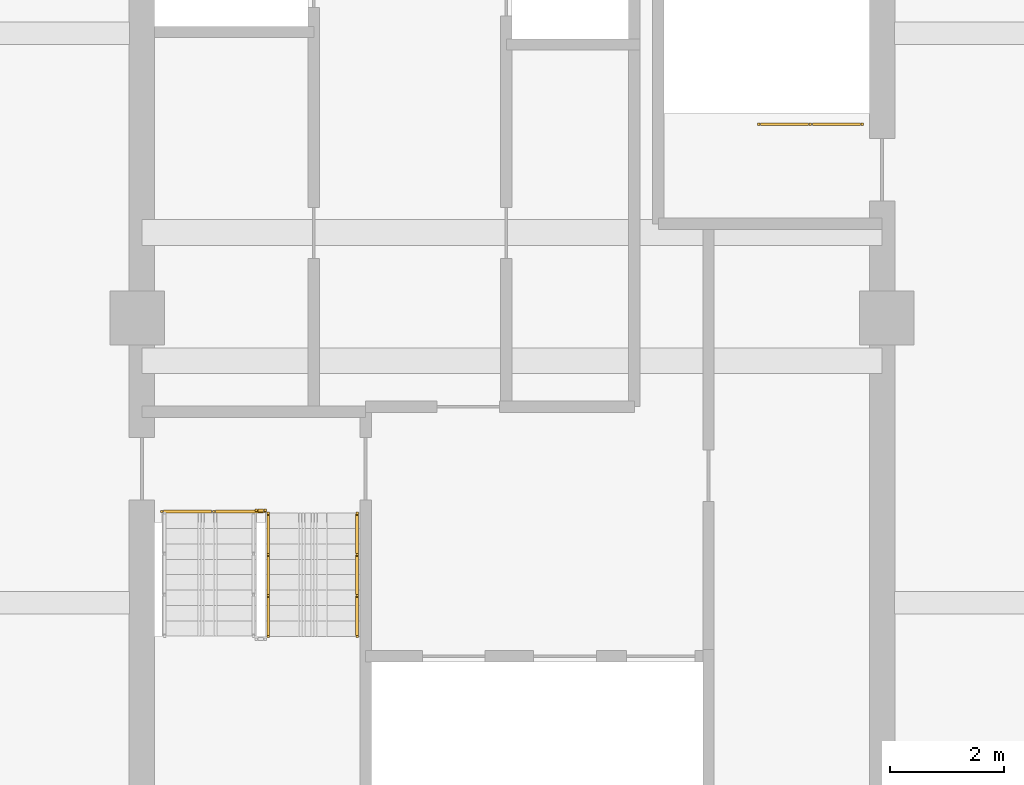
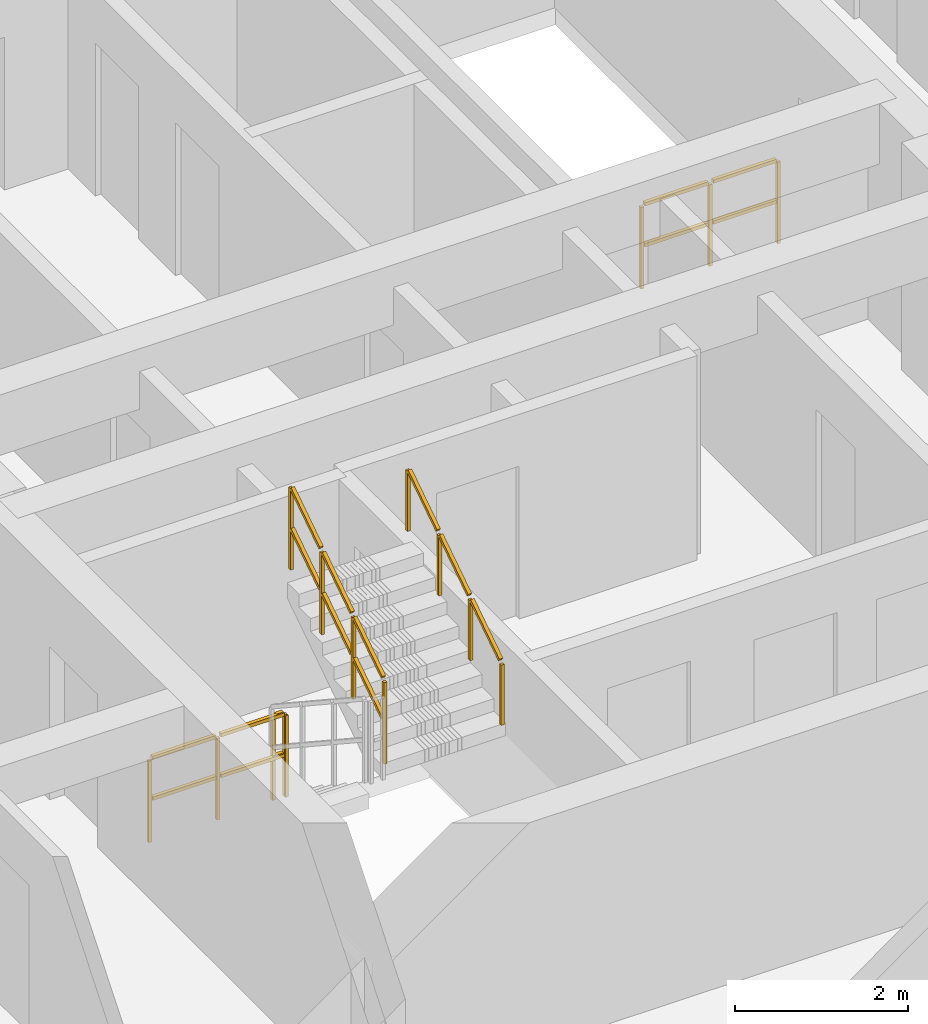
# One storey, part 9 of 11: 5 railings.
"""IFC4 building model written with IfcOpenShell, lengths in metres."""

from ifc_helpers import new_model, si_unit, direction, frame, origin, origin_2d, place, context, subcontext, project, spatial, rectangle, extrude, material, type_object, element, save


model = new_model("IFC4")

# Units and contexts
model_context = context("Model", 3, precision=1e-05, world=origin(), true_north=direction((0.0, 1.0)))
body_context = subcontext(model_context, "Body", "Model", "MODEL_VIEW")
ifc_project = project(units=[si_unit("LENGTHUNIT", "METRE"), si_unit("AREAUNIT", "SQUARE_METRE"), si_unit("VOLUMEUNIT", "CUBIC_METRE"), si_unit("PLANEANGLEUNIT", "RADIAN"), si_unit("MASSUNIT", "GRAM", prefix="KILO")], contexts=[model_context])

# Site, building, storey
site_placement = place(None, origin())
site = spatial("IfcSite", under=ifc_project, at=site_placement, CompositionType="ELEMENT")
building_placement = place(site_placement, origin())
building = spatial("IfcBuilding", under=site, at=building_placement, Name="Saelheon Loggia Tower", CompositionType="ELEMENT")
storey_placement = place(building_placement, frame((0.0, 0.0, 249.0)))
storey = spatial("IfcBuildingStorey", under=building, at=storey_placement, Name="L77", CompositionType="ELEMENT", Elevation=249.0)

# Railings
ifc_material_1 = material(Name="Galvanised Steel S275 Stairwell Guardrail", Category="steel")
railing_type_1 = type_object("IfcRailingType", Name="Guard_StairWell_RL_STG", PredefinedType="GUARDRAIL", material=ifc_material_1)
railing_1_placement = place(storey_placement, frame((31.85009765625, 23.60009765625, 0.0)))
element("IfcRailing", 1, at=railing_1_placement, inside=storey, type_object=railing_type_1, Name="L77 ST1 top well guard 1", PredefinedType="GUARDRAIL", context=body_context, shape_type="SweptSolid", body=[
    extrude(rectangle(XDim=0.048095703125, YDim=0.048095703125, at=origin_2d()), frame((0.033203125, 0.0, 1.17578125), z_axis=(1.0, 0.0, 0.0), x_axis=(0.0, 1.0, 0.0)), (0.0, 0.0, 1.0), 0.843505859375),
    extrude(rectangle(XDim=0.048095703125, YDim=0.048095703125, at=origin_2d()), frame((0.033203125, 0.0, 0.60009765625), z_axis=(1.0, 0.0, 0.0), x_axis=(0.0, 1.0, 0.0)), (0.0, 0.0, 1.0), 0.843505859375),
    extrude(rectangle(XDim=0.048095703125, YDim=0.048095703125, at=origin_2d()), frame((0.943115234375, 0.0, 1.17578125), z_axis=(1.0, 0.0, 0.0), x_axis=(0.0, 1.0, 0.0)), (0.0, 0.0, 1.0), 0.843505859375),
    extrude(rectangle(XDim=0.048095703125, YDim=0.048095703125, at=origin_2d()), frame((0.943115234375, 0.0, 0.60009765625), z_axis=(1.0, 0.0, 0.0), x_axis=(0.0, 1.0, 0.0)), (0.0, 0.0, 1.0), 0.843505859375),
    extrude(rectangle(XDim=0.0419921875, YDim=0.0419921875, at=origin_2d()), origin(), (0.0, 0.0, 1.0), 1.14794921875),
    extrude(rectangle(XDim=0.0419921875, YDim=0.0419921875, at=origin_2d()), frame((0.909912109375, 0.0, 0.0)), (0.0, 0.0, 1.0), 1.14794921875),
    extrude(rectangle(XDim=0.0419921875, YDim=0.0419921875, at=origin_2d()), frame((1.81982421875, 0.0, 0.0)), (0.0, 0.0, 1.0), 1.14794921875),
])
railing_2_placement = place(storey_placement, frame((44.14990234375, 30.39990234375, 0.0)))
element("IfcRailing", 2, at=railing_2_placement, inside=storey, type_object=railing_type_1, Name="L77 ST2 top well guard 1", PredefinedType="GUARDRAIL", context=body_context, shape_type="SweptSolid", body=[
    extrude(rectangle(XDim=0.048095703125, YDim=0.048095703125, at=origin_2d()), frame((-0.033203125, 0.0, 1.17578125), z_axis=(-1.0, 0.0, 0.0), x_axis=(0.0, -1.0, 0.0)), (0.0, 0.0, 1.0), 0.843505859375),
    extrude(rectangle(XDim=0.048095703125, YDim=0.048095703125, at=origin_2d()), frame((-0.033203125, 0.0, 0.60009765625), z_axis=(-1.0, 0.0, 0.0), x_axis=(0.0, -1.0, 0.0)), (0.0, 0.0, 1.0), 0.843505859375),
    extrude(rectangle(XDim=0.048095703125, YDim=0.048095703125, at=origin_2d()), frame((-0.943115234375, 0.0, 1.17578125), z_axis=(-1.0, 0.0, 0.0), x_axis=(0.0, -1.0, 0.0)), (0.0, 0.0, 1.0), 0.843505859375),
    extrude(rectangle(XDim=0.048095703125, YDim=0.048095703125, at=origin_2d()), frame((-0.943115234375, 0.0, 0.60009765625), z_axis=(-1.0, 0.0, 0.0), x_axis=(0.0, -1.0, 0.0)), (0.0, 0.0, 1.0), 0.843505859375),
    extrude(rectangle(XDim=0.0419921875, YDim=0.0419921875, at=origin_2d()), origin(), (0.0, 0.0, 1.0), 1.14794921875),
    extrude(rectangle(XDim=0.0419921875, YDim=0.0419921875, at=origin_2d()), frame((-0.909912109375, 0.0, 0.0)), (0.0, 0.0, 1.0), 1.14794921875),
    extrude(rectangle(XDim=0.0419921875, YDim=0.0419921875, at=origin_2d()), frame((-1.81982421875, 0.0, 0.0)), (0.0, 0.0, 1.0), 1.14794921875),
])
railing_3_placement = place(storey_placement, frame((33.719970703125, 21.409912109375, 1.77783203125)))
element("IfcRailing", 3, at=railing_3_placement, inside=storey, type_object=railing_type_1, Name="L77 ST5 stair guard 3", PredefinedType="GUARDRAIL", context=body_context, shape_type="SweptSolid", body=[
    extrude(rectangle(XDim=0.048095703125, YDim=0.048095703125, at=origin_2d()), frame((0.0, 0.02783203125, 1.194091796875), z_axis=(0.0, 0.835245945692, 0.549876540875), x_axis=(-1.0, 0.0, 0.0)), (0.0, 0.0, 1.0), 0.795654296875),
    extrude(rectangle(XDim=0.048095703125, YDim=0.048095703125, at=origin_2d()), frame((0.0, 0.02783203125, 0.6181640625), z_axis=(0.0, 0.835245945692, 0.549876540875), x_axis=(-1.0, 0.0, 0.0)), (0.0, 0.0, 1.0), 0.795654296875),
    extrude(rectangle(XDim=0.048095703125, YDim=0.048095703125, at=origin_2d()), frame((0.0, 0.747802734375, 1.668212890625), z_axis=(0.0, 0.835245945692, 0.549876540875), x_axis=(-1.0, 0.0, 0.0)), (0.0, 0.0, 1.0), 0.795654296875),
    extrude(rectangle(XDim=0.048095703125, YDim=0.048095703125, at=origin_2d()), frame((0.0, 0.747802734375, 1.09228515625), z_axis=(0.0, 0.835245945692, 0.549876540875), x_axis=(-1.0, 0.0, 0.0)), (0.0, 0.0, 1.0), 0.795654296875),
    extrude(rectangle(XDim=0.048095703125, YDim=0.048095703125, at=origin_2d()), frame((0.0, 1.4677734375, 2.142333984375), z_axis=(0.0, 0.835245945692, 0.549876540875), x_axis=(-1.0, 0.0, 0.0)), (0.0, 0.0, 1.0), 0.795654296875),
    extrude(rectangle(XDim=0.048095703125, YDim=0.048095703125, at=origin_2d()), frame((0.0, 1.4677734375, 1.56640625), z_axis=(0.0, 0.835245945692, 0.549876540875), x_axis=(-1.0, 0.0, 0.0)), (0.0, 0.0, 1.0), 0.795654296875),
    extrude(rectangle(XDim=0.0419921875, YDim=0.0419921875, at=origin_2d()), origin(), (0.0, 0.0, 1.0), 1.14794921875),
    extrude(rectangle(XDim=0.0419921875, YDim=0.0419921875, at=origin_2d()), frame((0.0, 0.719970703125, 0.47412109375)), (0.0, 0.0, 1.0), 1.14794921875),
    extrude(rectangle(XDim=0.0419921875, YDim=0.0419921875, at=origin_2d()), frame((0.0, 1.440185546875, 0.947998046875)), (0.0, 0.0, 1.0), 1.14794921875),
    extrude(rectangle(XDim=0.0419921875, YDim=0.0419921875, at=origin_2d()), frame((0.0, 2.16015625, 1.422119140625)), (0.0, 0.0, 1.0), 1.14794921875),
])
railing_4_placement = place(storey_placement, frame((33.510009765625, 23.6201171875, 0.0)))
element("IfcRailing", 4, at=railing_4_placement, inside=storey, type_object=railing_type_1, Name="L77 ST5 stair guard 4", PredefinedType="GUARDRAIL", context=body_context, shape_type="SweptSolid", body=[
    extrude(rectangle(XDim=0.048095703125, YDim=0.048095703125, at=origin_2d()), frame((0.033203125, 0.0, 1.17578125), z_axis=(1.0, 0.0, 0.0), x_axis=(0.0, 1.0, 0.0)), (0.0, 0.0, 1.0), 0.093505859375),
    extrude(rectangle(XDim=0.048095703125, YDim=0.048095703125, at=origin_2d()), frame((0.033203125, 0.0, 0.60009765625), z_axis=(1.0, 0.0, 0.0), x_axis=(0.0, 1.0, 0.0)), (0.0, 0.0, 1.0), 0.093505859375),
    extrude(rectangle(XDim=0.0419921875, YDim=0.0419921875, at=origin_2d()), origin(), (0.0, 0.0, 1.0), 1.14794921875),
    extrude(rectangle(XDim=0.0419921875, YDim=0.0419921875, at=origin_2d()), frame((0.159912109375, 0.0, 0.0)), (0.0, 0.0, 1.0), 1.14794921875),
])
ifc_material_2 = material(Name="Stainless Steel 304 Tubular Handrail", Category="steel")
railing_type_2 = type_object("IfcRailingType", Name="Handrail_Stair_RL_HR1", PredefinedType="HANDRAIL", material=ifc_material_2)
railing_5_placement = place(storey_placement, frame((35.280029296875, 21.409912109375, 1.77783203125)))
element("IfcRailing", 5, at=railing_5_placement, inside=storey, type_object=railing_type_2, Name="L77 ST5 stair handrail 2", PredefinedType="HANDRAIL", context=body_context, shape_type="SweptSolid", body=[
    extrude(rectangle(XDim=0.048095703125, YDim=0.048095703125, at=origin_2d()), frame((0.0, 0.02783203125, 0.89404296875), z_axis=(0.0, 0.835245945692, 0.549876540875), x_axis=(-1.0, 0.0, 0.0)), (0.0, 0.0, 1.0), 0.795654296875),
    extrude(rectangle(XDim=0.048095703125, YDim=0.048095703125, at=origin_2d()), frame((0.0, 0.747802734375, 1.3681640625), z_axis=(0.0, 0.835245945692, 0.549876540875), x_axis=(-1.0, 0.0, 0.0)), (0.0, 0.0, 1.0), 0.795654296875),
    extrude(rectangle(XDim=0.048095703125, YDim=0.048095703125, at=origin_2d()), frame((0.0, 1.4677734375, 1.84228515625), z_axis=(0.0, 0.835245945692, 0.549876540875), x_axis=(-1.0, 0.0, 0.0)), (0.0, 0.0, 1.0), 0.795654296875),
    extrude(rectangle(XDim=0.0419921875, YDim=0.0419921875, at=origin_2d()), origin(), (0.0, 0.0, 1.0), 0.847900390625),
    extrude(rectangle(XDim=0.0419921875, YDim=0.0419921875, at=origin_2d()), frame((0.0, 0.719970703125, 0.47412109375)), (0.0, 0.0, 1.0), 0.847900390625),
    extrude(rectangle(XDim=0.0419921875, YDim=0.0419921875, at=origin_2d()), frame((0.0, 1.440185546875, 0.947998046875)), (0.0, 0.0, 1.0), 0.847900390625),
    extrude(rectangle(XDim=0.0419921875, YDim=0.0419921875, at=origin_2d()), frame((0.0, 2.16015625, 1.422119140625)), (0.0, 0.0, 1.0), 0.847900390625),
])

save(model, "model.ifc")
